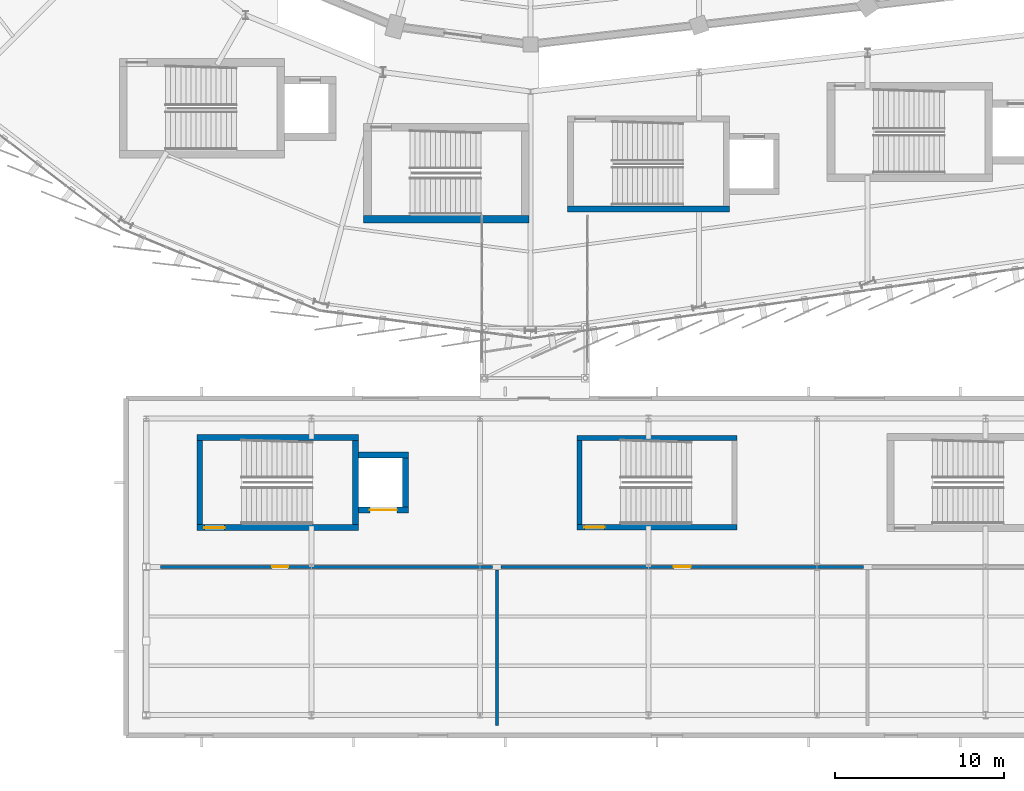
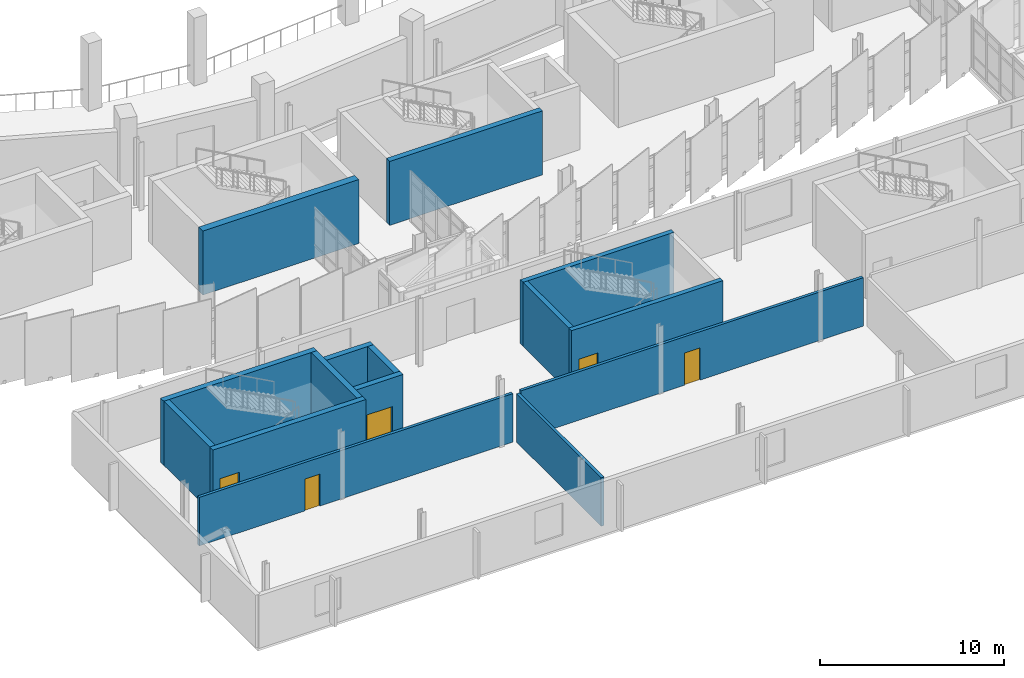
# One storey, part 102 of 125: 15 walls, 5 doors, 5 openings.
"""IFC4 building model written with IfcOpenShell, lengths in metres."""

from ifc_helpers import new_model, si_unit, direction, frame, frame_2d, origin, place, context, subcontext, project, spatial, rectangle, extrude, material, layer, layer_set, type_object, element, fill, save


model = new_model("IFC4")

# Units and contexts
model_context = context("Model", 3, precision=1e-05, world=origin(), true_north=direction((0.0, 1.0)))
body_context = subcontext(model_context, "Body", "Model", "MODEL_VIEW")
ifc_project = project(units=[si_unit("LENGTHUNIT", "METRE"), si_unit("AREAUNIT", "SQUARE_METRE"), si_unit("VOLUMEUNIT", "CUBIC_METRE"), si_unit("PLANEANGLEUNIT", "RADIAN"), si_unit("MASSUNIT", "GRAM", prefix="KILO")], contexts=[model_context])

# Site, building, storey
site_placement = place(None, origin())
site = spatial("IfcSite", under=ifc_project, at=site_placement, CompositionType="ELEMENT")
building_placement = place(site_placement, origin())
building = spatial("IfcBuilding", under=site, at=building_placement, Name="Sohan Crest Arena", CompositionType="ELEMENT")
storey_placement = place(building_placement, frame((0.0, 0.0, 9.0)))
storey = spatial("IfcBuildingStorey", under=building, at=storey_placement, Name="L02", CompositionType="ELEMENT", Elevation=9.0)

# Wall, opening, door
ifc_material_1 = material(Name="Back-of-house masonry room partition", Category="masonry")
ifc_layer_1 = layer(ifc_material_1, 0.179931640625, Name="Back-of-house masonry room partition")
ifc_layer_set_1 = layer_set([ifc_layer_1], Name="Back-of-house masonry room partition")
wall_type_1 = type_object("IfcWallType", Name="WAL-PW05", PredefinedType="PARTITIONING", material=ifc_layer_set_1)
wall_1_placement = place(storey_placement, frame((76.050048828125, 16.0, 0.0), z_axis=(0.0, 0.0, 1.0), x_axis=(1.0, 0.0, 0.0)))
wall_1 = element("IfcWall", 1, at=wall_1_placement, inside=storey, type_object=wall_type_1, Name="Interior partition wall PW-0921", PredefinedType="PARTITIONING", context=body_context, shape_type="SweptSolid", body=[
    extrude(rectangle(XDim=19.699951171875, YDim=0.179931640625, at=frame_2d((9.85009765625, 0.0))), origin(), (0.0, 0.0, 1.0), 3.219970703125),
])
opening_1_placement = place(wall_1_placement, frame((6.6220703125, 0.0, 0.0)))
opening_1 = element("IfcOpeningElement", 2, at=opening_1_placement, cuts=wall_1, Name="Opening V5D-0278", PredefinedType="OPENING", context=body_context, shape_type="SweptSolid", body=[
    extrude(rectangle(XDim=0.93994140625, YDim=2.1201171875, at=frame_2d((0.469970703125, 1.06005859375))), frame((0.0, 0.099853515625, 0.0), z_axis=(0.0, -1.0, 0.0), x_axis=(1.0, 0.0, 0.0)), (0.0, 0.0, 1.0), 0.199951171875),
])
ifc_material_2 = material(Name="Solid oak acoustic room door", Category="wood")
door_type_1 = type_object("IfcDoorType", Name="DR-ID08", OperationType="NOTDEFINED", PredefinedType="DOOR", material=ifc_material_2)
door_1_placement = place(opening_1_placement, origin())
door_1 = element("IfcDoor", 3, at=door_1_placement, inside=storey, type_object=door_type_1, Name="Broadcast Production Control Room door V5D-0278", OperationType="SINGLE_SWING_LEFT", OverallHeight=2.1201171875, OverallWidth=0.93994140625, PredefinedType="DOOR", context=body_context, shape_type="SweptSolid", body=[
    extrude(rectangle(XDim=0.93994140625, YDim=2.1201171875, at=frame_2d((0.469970703125, 1.06005859375))), frame((0.0, 0.02490234375, 0.0), z_axis=(0.0, -1.0, 0.0), x_axis=(1.0, 0.0, 0.0)), (0.0, 0.0, 1.0), 0.050048828125),
])
fill(opening_1, door_1)

# Wall
wall_2_placement = place(storey_placement, frame((96.0, 6.60009765625, 0.0), z_axis=(0.0, 0.0, 1.0), x_axis=(0.0, 1.0, 0.0)))
element("IfcWall", 4, at=wall_2_placement, inside=storey, type_object=wall_type_1, Name="Interior partition wall PW-0922", PredefinedType="PARTITIONING", context=body_context, shape_type="SweptSolid", body=[
    extrude(rectangle(XDim=9.199951171875, YDim=0.179931640625, at=frame_2d((4.60009765625, 0.0))), origin(), (0.0, 0.0, 1.0), 3.219970703125),
])

# Wall, opening, door
wall_3_placement = place(storey_placement, frame((96.25, 16.0, 0.0), z_axis=(0.0, 0.0, 1.0), x_axis=(1.0, 0.0, 0.0)))
wall_3 = element("IfcWall", 5, at=wall_3_placement, inside=storey, type_object=wall_type_1, Name="Interior partition wall PW-0923", PredefinedType="PARTITIONING", context=body_context, shape_type="SweptSolid", body=[
    extrude(rectangle(XDim=21.5, YDim=0.179931640625, at=frame_2d((10.75, 0.0))), origin(), (0.0, 0.0, 1.0), 3.219970703125),
])
opening_2_placement = place(wall_3_placement, frame((10.25, 0.0, 0.0)))
opening_2 = element("IfcOpeningElement", 6, at=opening_2_placement, cuts=wall_3, Name="Opening V5D-0279", PredefinedType="OPENING", context=body_context, shape_type="SweptSolid", body=[
    extrude(rectangle(XDim=1.0, YDim=2.139892578125, at=frame_2d((0.5, 1.06982421875))), frame((0.0, 0.099853515625, 0.0), z_axis=(0.0, -1.0, 0.0), x_axis=(1.0, 0.0, 0.0)), (0.0, 0.0, 1.0), 0.199951171875),
])
door_type_2 = type_object("IfcDoorType", Name="DR-ID09", OperationType="NOTDEFINED", PredefinedType="DOOR", material=ifc_material_2)
door_2_placement = place(opening_2_placement, origin())
door_2 = element("IfcDoor", 7, at=door_2_placement, inside=storey, type_object=door_type_2, Name="Audio and Replay Studio door V5D-0279", OperationType="SINGLE_SWING_RIGHT", OverallHeight=2.139892578125, OverallWidth=1.0, PredefinedType="DOOR", context=body_context, shape_type="SweptSolid", body=[
    extrude(rectangle(XDim=1.0, YDim=2.139892578125, at=frame_2d((0.5, 1.06982421875))), frame((0.0, 0.02490234375, 0.0), z_axis=(0.0, -1.0, 0.0), x_axis=(1.0, 0.0, 0.0)), (0.0, 0.0, 1.0), 0.050048828125),
])
fill(opening_2, door_2)

# Wall
ifc_material_3 = material(Name="Concrete C40/50", Category="concrete")
ifc_layer_2 = layer(ifc_material_3, 0.300048828125, Name="Concrete C40/50")
ifc_layer_set_2 = layer_set([ifc_layer_2], Name="Concrete C40/50")
wall_type_2 = type_object("IfcWallType", Name="WAL-SW01", PredefinedType="SHEAR", material=ifc_layer_set_2)
wall_4_placement = place(storey_placement, frame((100.89990234375, 18.5, 0.0), z_axis=(0.0, 0.0, 1.0), x_axis=(0.0, 1.0, 0.0)))
element("IfcWall", 8, at=wall_4_placement, inside=storey, type_object=wall_type_2, Name="Core shear wall SW-0519", PredefinedType="SHEAR", context=body_context, shape_type="SweptSolid", body=[
    extrude(rectangle(XDim=5.0, YDim=0.300048828125, at=frame_2d((2.5, 0.0))), origin(), (0.0, 0.0, 1.0), 4.25),
])

# Wall, opening, door
wall_5_placement = place(storey_placement, frame((100.75, 18.35009765625, 0.0), z_axis=(0.0, 0.0, 1.0), x_axis=(1.0, 0.0, 0.0)))
wall_5 = element("IfcWall", 9, at=wall_5_placement, inside=storey, type_object=wall_type_2, Name="Core shear wall SW-0521", PredefinedType="SHEAR", context=body_context, shape_type="SweptSolid", body=[
    extrude(rectangle(XDim=9.5, YDim=0.300048828125, at=frame_2d((4.75, 0.0))), origin(), (0.0, 0.0, 1.0), 4.25),
])
opening_3_placement = place(wall_5_placement, frame((0.449951171875, 0.0, 0.0)))
opening_3 = element("IfcOpeningElement", 10, at=opening_3_placement, cuts=wall_5, Name="Opening SD-0143", PredefinedType="OPENING", context=body_context, shape_type="SweptSolid", body=[
    extrude(rectangle(XDim=1.199951171875, YDim=2.199951171875, at=frame_2d((0.60009765625, 1.10009765625))), frame((0.0, 0.159912109375, 0.0), z_axis=(0.0, -1.0, 0.0), x_axis=(1.0, 0.0, 0.0)), (0.0, 0.0, 1.0), 0.320068359375),
])
ifc_material_4 = material(Name="Fire-rated steel stair and lobby door", Category="steel")
door_type_3 = type_object("IfcDoorType", Name="DR-FD04", OperationType="NOTDEFINED", PredefinedType="DOOR", material=ifc_material_4)
door_3_placement = place(opening_3_placement, frame((1.199951171875, 0.0, 0.0), z_axis=(0.0, 0.0, 1.0), x_axis=(-1.0, 0.0, 0.0)))
door_3 = element("IfcDoor", 11, at=door_3_placement, inside=storey, type_object=door_type_3, Name="Protected stair door SD-0143", OperationType="SINGLE_SWING_LEFT", OverallHeight=2.199951171875, OverallWidth=1.199951171875, PredefinedType="DOOR", context=body_context, shape_type="SweptSolid", body=[
    extrude(rectangle(XDim=1.199951171875, YDim=2.199951171875, at=frame_2d((0.60009765625, 1.10009765625))), frame((0.0, 0.02490234375, 0.0), z_axis=(0.0, -1.0, 0.0), x_axis=(1.0, 0.0, 0.0)), (0.0, 0.0, 1.0), 0.050048828125),
])
fill(opening_3, door_3)

# Walls
wall_6_placement = place(storey_placement, frame((100.75, 23.64990234375, 0.0), z_axis=(0.0, 0.0, 1.0), x_axis=(1.0, 0.0, 0.0)))
element("IfcWall", 12, at=wall_6_placement, inside=storey, type_object=wall_type_2, Name="Core shear wall SW-0522", PredefinedType="SHEAR", context=body_context, shape_type="SweptSolid", body=[
    extrude(rectangle(XDim=9.5, YDim=0.300048828125, at=frame_2d((4.75, 0.0))), origin(), (0.0, 0.0, 1.0), 4.25),
])
ifc_layer_3 = layer(ifc_material_3, 0.35009765625, Name="Concrete C40/50")
ifc_layer_set_3 = layer_set([ifc_layer_3], Name="Concrete C40/50")
wall_type_3 = type_object("IfcWallType", Name="WAL-SW02", PredefinedType="SHEAR", material=ifc_layer_set_3)
wall_7_placement = place(storey_placement, frame((100.199951171875, 37.22509765625, 0.0), z_axis=(0.0, 0.0, 1.0), x_axis=(1.0, 0.0, 0.0)))
element("IfcWall", 13, at=wall_7_placement, inside=storey, type_object=wall_type_3, Name="Core shear wall SW-0259", PredefinedType="SHEAR", context=body_context, shape_type="SweptSolid", body=[
    extrude(rectangle(XDim=9.60009765625, YDim=0.35009765625, at=frame_2d((4.800048828125, 0.0))), origin(), (0.0, 0.0, 1.0), 4.25),
])
for number, where, z_axis, x_axis, name in (
    (14, (78.375, 18.5, 0.0), (0.0, 0.0, 1.0), (0.0, 1.0, 0.0), "Core shear wall SW-0670"),
    (15, (87.625, 18.5, 0.0), (0.0, 0.0, 1.0), (0.0, 1.0, 0.0), "Core shear wall SW-0671"),
):
    element("IfcWall", number, at=place(storey_placement, frame(where, z_axis=z_axis, x_axis=x_axis)), inside=storey, type_object=wall_type_3, Name=name, PredefinedType="SHEAR", context=body_context, shape_type="SweptSolid", body=[
        extrude(rectangle(XDim=5.0, YDim=0.35009765625, at=frame_2d((2.5, 0.0))), origin(), (0.0, 0.0, 1.0), 4.25),
    ])

# Wall, opening, door
wall_8_placement = place(storey_placement, frame((78.199951171875, 18.324951171875, 0.0), z_axis=(0.0, 0.0, 1.0), x_axis=(1.0, 0.0, 0.0)))
wall_8 = element("IfcWall", 16, at=wall_8_placement, inside=storey, type_object=wall_type_3, Name="Core shear wall SW-0672", PredefinedType="SHEAR", context=body_context, shape_type="SweptSolid", body=[
    extrude(rectangle(XDim=9.60009765625, YDim=0.35009765625, at=frame_2d((4.800048828125, 0.0))), origin(), (0.0, 0.0, 1.0), 4.25),
])
opening_4_placement = place(wall_8_placement, frame((0.449951171875, 0.0, 0.0)))
opening_4 = element("IfcOpeningElement", 17, at=opening_4_placement, cuts=wall_8, Name="Opening SD-0181", PredefinedType="OPENING", context=body_context, shape_type="SweptSolid", body=[
    extrude(rectangle(XDim=1.199951171875, YDim=2.199951171875, at=frame_2d((0.60009765625, 1.10009765625))), frame((0.0, 0.18505859375, 0.0), z_axis=(0.0, -1.0, 0.0), x_axis=(1.0, 0.0, 0.0)), (0.0, 0.0, 1.0), 0.3701171875),
])
door_4_placement = place(opening_4_placement, frame((1.199951171875, 0.0, 0.0), z_axis=(0.0, 0.0, 1.0), x_axis=(-1.0, 0.0, 0.0)))
door_4 = element("IfcDoor", 18, at=door_4_placement, inside=storey, type_object=door_type_3, Name="Protected stair door SD-0181", OperationType="SINGLE_SWING_RIGHT", OverallHeight=2.199951171875, OverallWidth=1.199951171875, PredefinedType="DOOR", context=body_context, shape_type="SweptSolid", body=[
    extrude(rectangle(XDim=1.199951171875, YDim=2.199951171875, at=frame_2d((0.60009765625, 1.10009765625))), frame((0.0, 0.02490234375, 0.0), z_axis=(0.0, -1.0, 0.0), x_axis=(1.0, 0.0, 0.0)), (0.0, 0.0, 1.0), 0.050048828125),
])
fill(opening_4, door_4)

# Walls
wall_9_placement = place(storey_placement, frame((78.199951171875, 23.675048828125, 0.0), z_axis=(0.0, 0.0, 1.0), x_axis=(1.0, 0.0, 0.0)))
element("IfcWall", 19, at=wall_9_placement, inside=storey, type_object=wall_type_3, Name="Core shear wall SW-0673", PredefinedType="SHEAR", context=body_context, shape_type="SweptSolid", body=[
    extrude(rectangle(XDim=9.60009765625, YDim=0.35009765625, at=frame_2d((4.800048828125, 0.0))), origin(), (0.0, 0.0, 1.0), 4.25),
])
wall_10_placement = place(storey_placement, frame((90.574951171875, 19.550048828125, 0.0), z_axis=(0.0, 0.0, 1.0), x_axis=(0.0, 1.0, 0.0)))
element("IfcWall", 20, at=wall_10_placement, inside=storey, type_object=wall_type_3, Name="Core shear wall SW-0674", PredefinedType="SHEAR", context=body_context, shape_type="SweptSolid", body=[
    extrude(rectangle(XDim=2.89990234375, YDim=0.35009765625, at=frame_2d((1.449951171875, 0.0))), origin(), (0.0, 0.0, 1.0), 4.25),
])

# Wall, opening, door
wall_11_placement = place(storey_placement, frame((87.800048828125, 19.375, 0.0), z_axis=(0.0, 0.0, 1.0), x_axis=(1.0, 0.0, 0.0)))
wall_11 = element("IfcWall", 21, at=wall_11_placement, inside=storey, type_object=wall_type_3, Name="Core shear wall SW-0675", PredefinedType="SHEAR", context=body_context, shape_type="SweptSolid", body=[
    extrude(rectangle(XDim=2.949951171875, YDim=0.35009765625, at=frame_2d((1.47509765625, 0.0))), origin(), (0.0, 0.0, 1.0), 4.25),
])
opening_5_placement = place(wall_11_placement, frame((0.675048828125, 0.0, 0.0)))
opening_5 = element("IfcOpeningElement", 22, at=opening_5_placement, cuts=wall_11, Name="Opening LD-GF01-L02", PredefinedType="OPENING", context=body_context, shape_type="SweptSolid", body=[
    extrude(rectangle(XDim=1.60009765625, YDim=2.35009765625, at=frame_2d((0.800048828125, 1.175048828125))), frame((0.0, 0.18505859375, 0.0), z_axis=(0.0, -1.0, 0.0), x_axis=(1.0, 0.0, 0.0)), (0.0, 0.0, 1.0), 0.3701171875),
])
ifc_material_5 = material(Name="Stainless steel goods lift landing door", Category="steel")
door_type_4 = type_object("IfcDoorType", Name="DR-LD03", OperationType="SLIDING_TO_LEFT", PredefinedType="DOOR", material=ifc_material_5)
door_5_placement = place(opening_5_placement, origin())
door_5 = element("IfcDoor", 23, at=door_5_placement, inside=storey, type_object=door_type_4, Name="Sliding lift landing door LD-GF01-L02", OperationType="SLIDING_TO_LEFT", OverallHeight=2.35009765625, OverallWidth=1.60009765625, PredefinedType="DOOR", context=body_context, shape_type="SweptSolid", body=[
    extrude(rectangle(XDim=1.60009765625, YDim=2.35009765625, at=frame_2d((0.800048828125, 1.175048828125))), frame((0.0, 0.02490234375, 0.0), z_axis=(0.0, -1.0, 0.0), x_axis=(1.0, 0.0, 0.0)), (0.0, 0.0, 1.0), 0.050048828125),
])
fill(opening_5, door_5)

# Walls
wall_12_placement = place(storey_placement, frame((87.800048828125, 22.625, 0.0), z_axis=(0.0, 0.0, 1.0), x_axis=(1.0, 0.0, 0.0)))
element("IfcWall", 24, at=wall_12_placement, inside=storey, type_object=wall_type_3, Name="Core shear wall SW-0676", PredefinedType="SHEAR", context=body_context, shape_type="SweptSolid", body=[
    extrude(rectangle(XDim=2.949951171875, YDim=0.35009765625, at=frame_2d((1.47509765625, 0.0))), origin(), (0.0, 0.0, 1.0), 4.25),
])
ifc_layer_4 = layer(ifc_material_3, 0.449951171875, Name="Concrete C40/50")
ifc_layer_set_4 = layer_set([ifc_layer_4], Name="Concrete C40/50")
wall_type_4 = type_object("IfcWallType", Name="WAL-SW04", PredefinedType="SHEAR", material=ifc_layer_set_4)
wall_13_placement = place(storey_placement, frame((88.10009765625, 36.635009765625, 0.0), z_axis=(0.0, 0.0, 1.0), x_axis=(1.0, 0.0, 0.0)))
element("IfcWall", 25, at=wall_13_placement, inside=storey, type_object=wall_type_4, Name="Core shear wall SW-0747", PredefinedType="SHEAR", context=body_context, shape_type="SweptSolid", body=[
    extrude(rectangle(XDim=9.7998046875, YDim=0.449951171875, at=frame_2d((4.89990234375, 0.0))), origin(), (0.0, 0.0, 1.0), 4.25),
])

save(model, "model.ifc")
